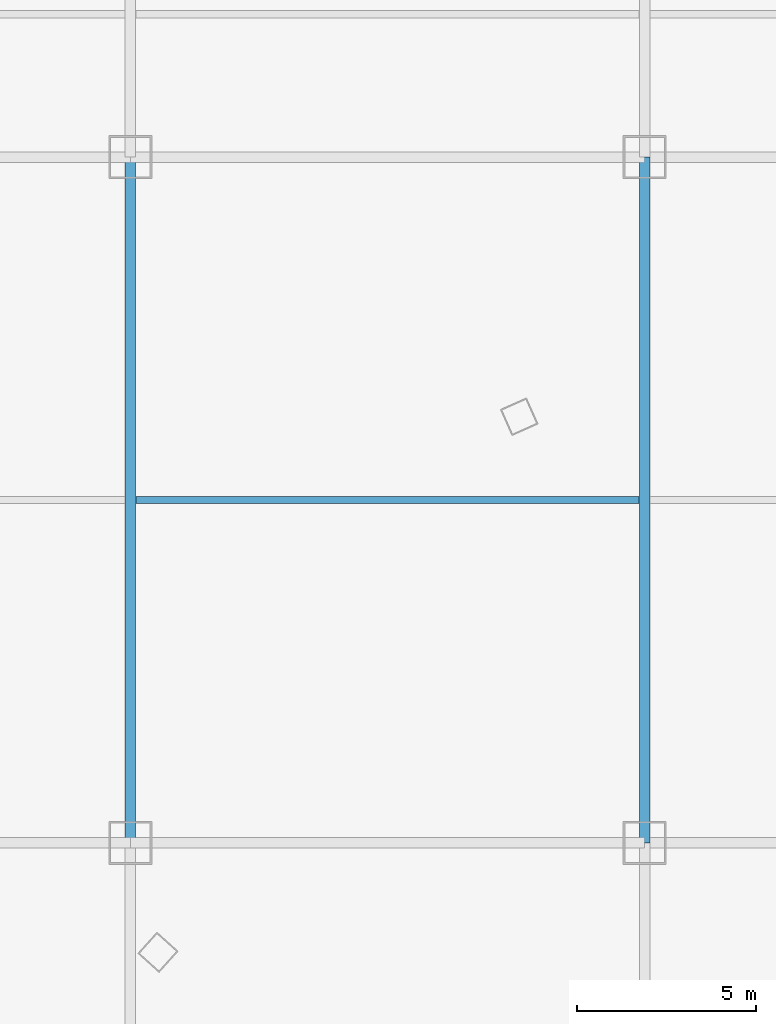
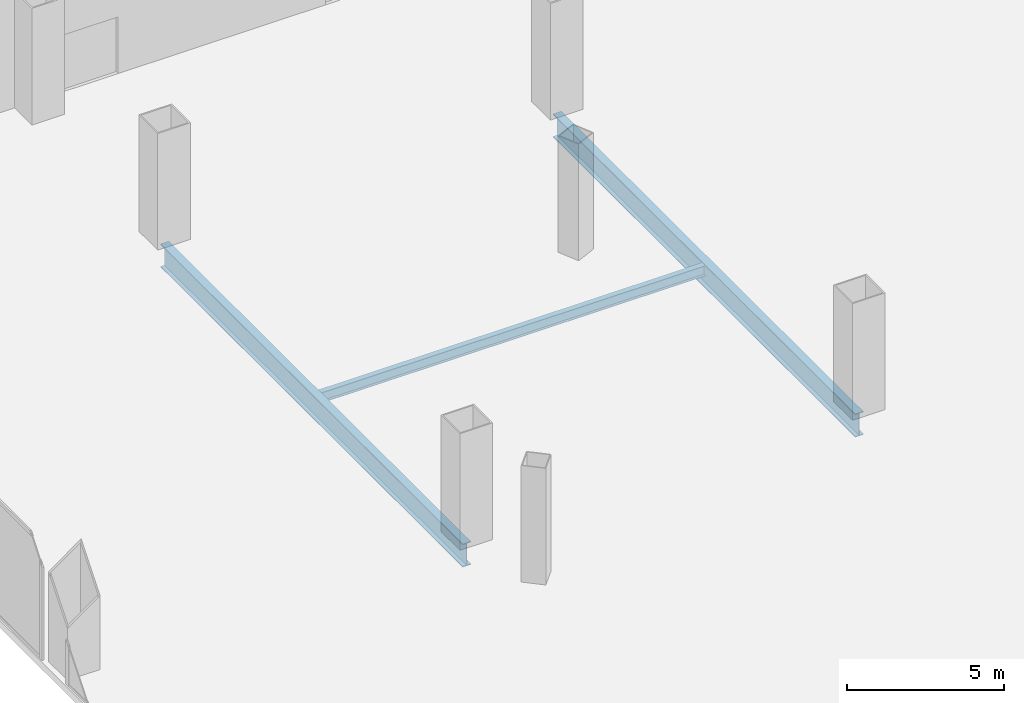
# One storey, part 35 of 58: 3 beams.
"""IFC4 building model written with IfcOpenShell, lengths in metres."""

from ifc_helpers import new_model, si_unit, direction, frame, origin, origin_2d, place, context, subcontext, project, spatial, i_section, extrude, source, transform, mapped, material, material_profile, profile_set, type_object, element, save


model = new_model("IFC4")

# Units and contexts
model_context = context("Model", 3, precision=1e-05, world=origin(), true_north=direction((0.0, 1.0)))
body_context = subcontext(model_context, "Body", "Model", "MODEL_VIEW")
ifc_project = project(units=[si_unit("LENGTHUNIT", "METRE"), si_unit("AREAUNIT", "SQUARE_METRE"), si_unit("VOLUMEUNIT", "CUBIC_METRE"), si_unit("PLANEANGLEUNIT", "RADIAN"), si_unit("MASSUNIT", "GRAM", prefix="KILO"), si_unit("THERMODYNAMICTEMPERATUREUNIT", "KELVIN"), si_unit("POWERUNIT", "WATT")], contexts=[model_context])

# Site, building, storey
site_placement = place(None, origin())
site = spatial("IfcSite", under=ifc_project, at=site_placement, CompositionType="ELEMENT")
building_placement = place(site_placement, origin())
building = spatial("IfcBuilding", under=site, at=building_placement, Name="Yunzhuo Pagoda Commons", CompositionType="ELEMENT")
storey_placement = place(building_placement, origin())
storey = spatial("IfcBuildingStorey", under=building, at=storey_placement, Name="L01", CompositionType="ELEMENT", Elevation=0.0)

# Beams
ifc_material = material(Name="Structural steel Q355B", Category="steel")
ifc_material_profile_1 = material_profile(ifc_material, i_section(OverallWidth=0.199951171875, OverallDepth=0.39990234375, WebThickness=0.008056640625, FlangeThickness=0.012939453125, at=origin_2d()), Name="Structural steel Q355B")
ifc_profile_set_1 = profile_set([ifc_material_profile_1], Name="Structural steel Q355B")
beam_type_1 = type_object("IfcBeamType", Name="B-JS1 Joist HN 400x200x8x13", PredefinedType="JOIST", material=ifc_profile_set_1)
shared_shape_1 = source(origin(), body_context, "Body", "SweptSolid", [
    extrude(i_section(OverallWidth=0.199951171875, OverallDepth=0.39990234375, WebThickness=0.008056640625, FlangeThickness=0.012939453125, at=origin_2d()), origin(), (0.0, 0.0, 1.0), 14.08984375),
])
beam_placement = place(storey_placement, frame((19.355224609375, 71.60009765625, -0.479736328125), z_axis=(1.0, 0.0, 0.0), x_axis=(0.0, 1.0, 0.0)))
element("IfcBeam", 1, at=beam_placement, inside=storey, type_object=beam_type_1, Name="L01 podium composite joist 2.4", PredefinedType="JOIST", context=body_context, shape_type="MappedRepresentation", body=[
    mapped(shared_shape_1, transform((0.0, 0.0, 0.0), scale=1.0)),
])
ifc_material_profile_2 = material_profile(ifc_material, i_section(OverallWidth=0.300048828125, OverallDepth=0.89990234375, WebThickness=0.01611328125, FlangeThickness=0.028076171875, at=origin_2d()), Name="Structural steel Q355B")
ifc_profile_set_2 = profile_set([ifc_material_profile_2], Name="Structural steel Q355B")
beam_type_2 = type_object("IfcBeamType", Name="B-PD1 Beam HN 900x300x16x28", PredefinedType="BEAM", material=ifc_profile_set_2)
shared_shape_2 = source(origin(), body_context, "Body", "SweptSolid", [
    extrude(i_section(OverallWidth=0.300048828125, OverallDepth=0.89990234375, WebThickness=0.01611328125, FlangeThickness=0.028076171875, at=origin_2d()), origin(), (0.0, 0.0, 1.0), 19.199951171875),
])
for number, where, z_axis, x_axis, name in (
    (2, (19.199951171875, 62.0, -0.729736328125), (0.0, 1.0, 0.0), (-1.0, 0.0, 0.0), "L01 podium girder NS 2.4"),
    (3, (33.60009765625, 62.0, -0.729736328125), (0.0, 1.0, 0.0), (-1.0, 0.0, 0.0), "L01 podium girder NS 3.4"),
):
    element("IfcBeam", number, at=place(storey_placement, frame(where, z_axis=z_axis, x_axis=x_axis)), inside=storey, type_object=beam_type_2, Name=name, PredefinedType="BEAM", context=body_context, shape_type="MappedRepresentation", body=[
        mapped(shared_shape_2, transform((0.0, 0.0, 0.0), scale=1.0)),
    ])

save(model, "model.ifc")
